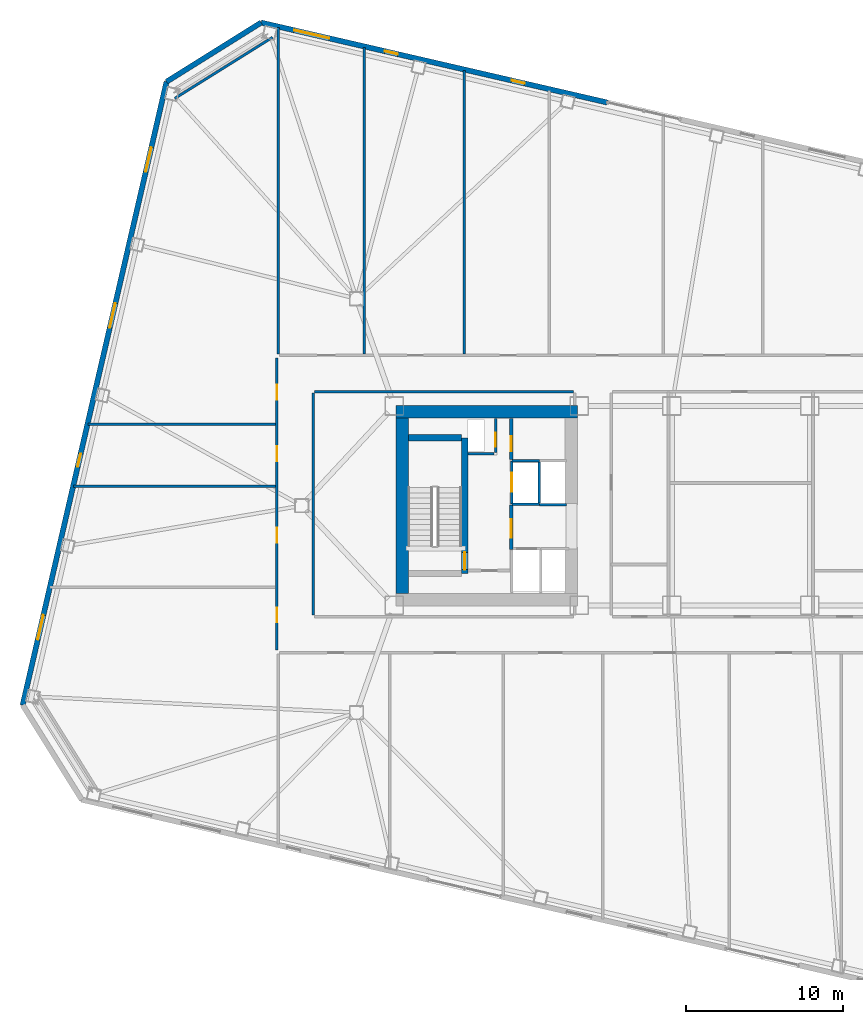
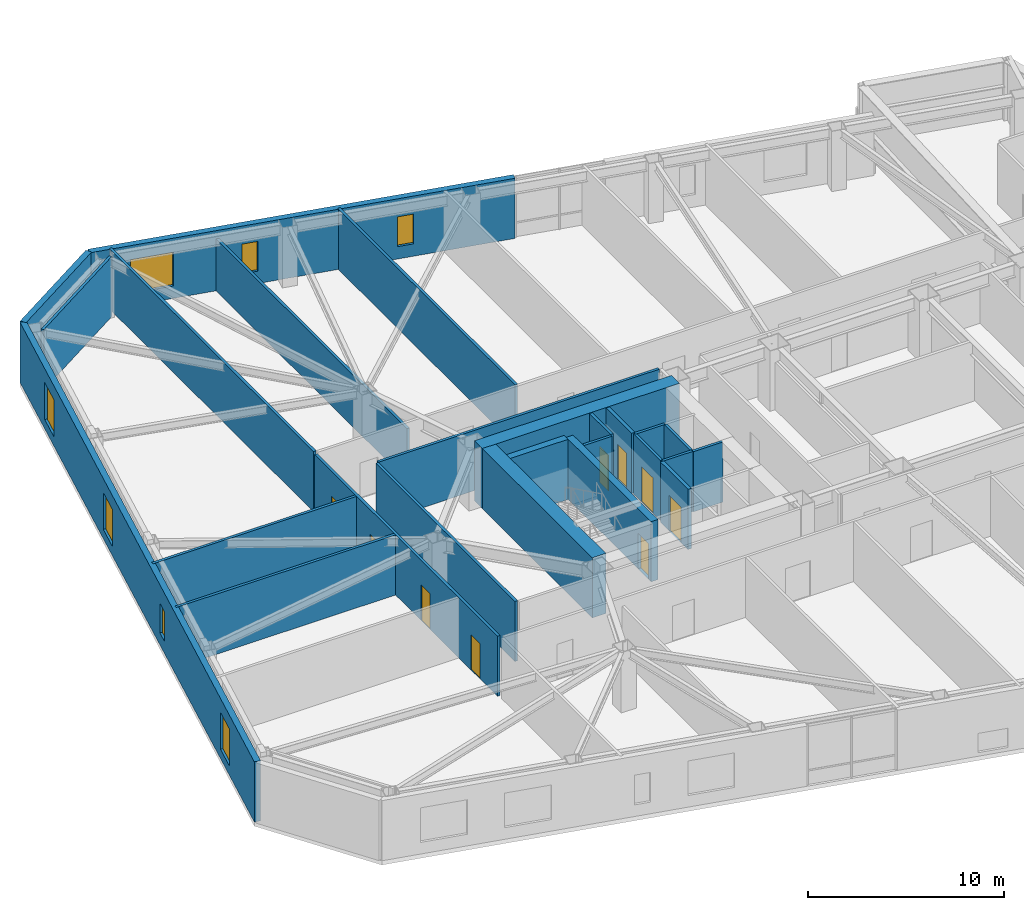
# One storey, part 12 of 20: 25 walls, 9 doors, 7 windows, 16 openings.
"""IFC4 building model written with IfcOpenShell, lengths in metres."""

from ifc_helpers import new_model, si_unit, direction, frame, frame_2d, origin, place, context, subcontext, project, spatial, rectangle, extrude, material, layer, layer_set, type_object, element, fill, save


model = new_model("IFC4")

# Units and contexts
model_context = context("Model", 3, precision=1e-05, world=origin(), true_north=direction((0.0, 1.0)))
body_context = subcontext(model_context, "Body", "Model", "MODEL_VIEW")
ifc_project = project(units=[si_unit("LENGTHUNIT", "METRE"), si_unit("AREAUNIT", "SQUARE_METRE"), si_unit("VOLUMEUNIT", "CUBIC_METRE"), si_unit("PLANEANGLEUNIT", "RADIAN"), si_unit("MASSUNIT", "GRAM", prefix="KILO")], contexts=[model_context])

# Site, building, storey
site_placement = place(None, origin())
site = spatial("IfcSite", under=ifc_project, at=site_placement, CompositionType="ELEMENT")
building_placement = place(site_placement, origin())
building = spatial("IfcBuilding", under=site, at=building_placement, Name="Tavrogorsk Clinical Tower", CompositionType="ELEMENT")
storey_placement = place(building_placement, frame((0.0, 0.0, 67.39990234375)))
storey = spatial("IfcBuildingStorey", under=building, at=storey_placement, Name="L14", CompositionType="ELEMENT", Elevation=67.39990234375)

# Wall, opening, door
ifc_material_1 = material(Name="Concrete B60", Category="concrete")
ifc_layer_1 = layer(ifc_material_1, 0.199951171875)
ifc_layer_set_1 = layer_set([ifc_layer_1], Name="Concrete B60")
wall_type_1 = type_object("IfcWallType", Name="CoreFireWall_200", PredefinedType="SOLIDWALL", material=ifc_layer_set_1)
wall_1_placement = place(storey_placement, frame((-14.639892578125, 2.9599609375, 0.0), z_axis=(0.0, 0.0, 1.0), x_axis=(0.0, 1.0, 0.0)))
wall_1 = element("IfcWall", 1, at=wall_1_placement, inside=storey, type_object=wall_type_1, Name="L14 Core West North Core Room East Wall", PredefinedType="SOLIDWALL", context=body_context, shape_type="SweptSolid", body=[
    extrude(rectangle(XDim=2.60009765625, YDim=0.199951171875, at=frame_2d((1.300048828125, 0.0))), origin(), (0.0, 0.0, 1.0), 3.739990234375),
])
opening_1_placement = place(wall_1_placement, frame((0.52001953125, 0.0, 0.0)))
opening_1 = element("IfcOpeningElement", 2, at=opening_1_placement, cuts=wall_1, Name="Opening ID-02", PredefinedType="OPENING", context=body_context, shape_type="SweptSolid", body=[
    extrude(rectangle(XDim=0.949951171875, YDim=2.199951171875, at=frame_2d((0.47509765625, 1.10009765625))), frame((0.0, 0.10986328125, 0.0), z_axis=(0.0, -1.0, 0.0), x_axis=(1.0, 0.0, 0.0)), (0.0, 0.0, 1.0), 0.219970703125),
])
ifc_material_2 = material(Name="Laminated timber leaf on aluminium frame", Category="wood")
door_type_1 = type_object("IfcDoorType", Name="InteriorDoor_ID02_950", OperationType="NOTDEFINED", PredefinedType="DOOR", material=ifc_material_2)
door_1_placement = place(opening_1_placement, origin())
door_1 = element("IfcDoor", 3, at=door_1_placement, inside=storey, type_object=door_type_1, Name="L14 Core West Core Telemetry Room Door", OperationType="SINGLE_SWING_LEFT", OverallHeight=2.199951171875, OverallWidth=0.949951171875, PredefinedType="DOOR", context=body_context, shape_type="SweptSolid", body=[
    extrude(rectangle(XDim=0.949951171875, YDim=2.199951171875, at=frame_2d((0.47509765625, 1.10009765625))), frame((0.0, 0.02490234375, 0.0), z_axis=(0.0, -1.0, 0.0), x_axis=(1.0, 0.0, 0.0)), (0.0, 0.0, 1.0), 0.050048828125),
])
fill(opening_1, door_1)

wall_2_placement = place(storey_placement, frame((-14.639892578125, -2.780029296875, 0.0), z_axis=(0.0, 0.0, 1.0), x_axis=(0.0, 1.0, 0.0)))
wall_2 = element("IfcWall", 4, at=wall_2_placement, inside=storey, type_object=wall_type_1, Name="L14 Core West Firefighting Lobby Fire Wall", PredefinedType="SOLIDWALL", context=body_context, shape_type="SweptSolid", body=[
    extrude(rectangle(XDim=2.820068359375, YDim=0.199951171875, at=frame_2d((1.41015625, 0.0))), origin(), (0.0, 0.0, 1.0), 3.739990234375),
])
opening_2_placement = place(wall_2_placement, frame((0.72998046875, 0.0, 0.0)))
opening_2 = element("IfcOpeningElement", 5, at=opening_2_placement, cuts=wall_2, Name="Opening FD-01", PredefinedType="OPENING", context=body_context, shape_type="SweptSolid", body=[
    extrude(rectangle(XDim=1.199951171875, YDim=2.199951171875, at=frame_2d((0.60009765625, 1.10009765625))), frame((0.0, 0.10986328125, 0.0), z_axis=(0.0, -1.0, 0.0), x_axis=(1.0, 0.0, 0.0)), (0.0, 0.0, 1.0), 0.219970703125),
])
ifc_material_3 = material(Name="Galvanised steel fire-rated door assembly", Category="steel")
door_type_2 = type_object("IfcDoorType", Name="FireDoor_FD01_1200", OperationType="NOTDEFINED", PredefinedType="DOOR", material=ifc_material_3)
door_2_placement = place(opening_2_placement, origin())
door_2 = element("IfcDoor", 6, at=door_2_placement, inside=storey, type_object=door_type_2, Name="L14 Core West Firefighting Lobby Entry Door", OperationType="SINGLE_SWING_RIGHT", OverallHeight=2.199951171875, OverallWidth=1.199951171875, PredefinedType="DOOR", context=body_context, shape_type="SweptSolid", body=[
    extrude(rectangle(XDim=1.199951171875, YDim=2.199951171875, at=frame_2d((0.60009765625, 1.10009765625))), frame((0.0, 0.02490234375, 0.0), z_axis=(0.0, -1.0, 0.0), x_axis=(1.0, 0.0, 0.0)), (0.0, 0.0, 1.0), 0.050048828125),
])
fill(opening_2, door_2)

# Wall
ifc_material_4 = material(Name="Lightweight concrete blockwork B15", Category="masonry")
ifc_layer_2 = layer(ifc_material_4, 0.159912109375)
ifc_layer_set_2 = layer_set([ifc_layer_2], Name="Lightweight concrete blockwork B15")
wall_type_2 = type_object("IfcWallType", Name="PartitionWall_160", PredefinedType="PARTITIONING", material=ifc_layer_set_2)
wall_3_placement = place(storey_placement, frame((-29.859619140625, 29.8681640625, 0.0), z_axis=(0.0, 0.0, 1.0), x_axis=(-0.848043064089, -0.529927317139, 0.0)))
element("IfcWall", 7, at=wall_3_placement, inside=storey, type_object=wall_type_2, Name="L14 Corner Exoskeleton Brace Furring Wall 3", PredefinedType="PARTITIONING", context=body_context, shape_type="SweptSolid", body=[
    extrude(rectangle(XDim=7.353759765625, YDim=0.159912109375, at=frame_2d((3.6767578125, 0.0))), origin(), (0.0, 0.0, 1.0), 3.739990234375),
])

# Wall, openings, doors
wall_4_placement = place(storey_placement, frame((-29.580078125, -9.215087890625, 0.0), z_axis=(0.0, 0.0, 1.0), x_axis=(0.0, 1.0, 0.0)))
wall_4 = element("IfcWall", 8, at=wall_4_placement, inside=storey, type_object=wall_type_2, Name="L14 Corridor Partition 01", PredefinedType="PARTITIONING", context=body_context, shape_type="SweptSolid", body=[
    extrude(rectangle(XDim=18.630126953125, YDim=0.159912109375, at=frame_2d((9.31494140625, 0.0))), origin(), (0.0, 0.0, 1.0), 3.739990234375),
])
opening_3_placement = place(wall_4_placement, frame((1.76904296875, 0.0, 0.0)))
opening_3 = element("IfcOpeningElement", 9, at=opening_3_placement, cuts=wall_4, Name="Opening ID-02", PredefinedType="OPENING", context=body_context, shape_type="SweptSolid", body=[
    extrude(rectangle(XDim=0.949951171875, YDim=2.199951171875, at=frame_2d((0.47509765625, 1.10009765625))), frame((0.0, 0.08984375, 0.0), z_axis=(0.0, -1.0, 0.0), x_axis=(1.0, 0.0, 0.0)), (0.0, 0.0, 1.0), 0.179931640625),
])
opening_4_placement = place(wall_4_placement, frame((6.85009765625, 0.0, 0.0)))
opening_4 = element("IfcOpeningElement", 10, at=opening_4_placement, cuts=wall_4, Name="Opening ID-02", PredefinedType="OPENING", context=body_context, shape_type="SweptSolid", body=[
    extrude(rectangle(XDim=0.949951171875, YDim=2.199951171875, at=frame_2d((0.47509765625, 1.10009765625))), frame((0.0, 0.08984375, 0.0), z_axis=(0.0, -1.0, 0.0), x_axis=(1.0, 0.0, 0.0)), (0.0, 0.0, 1.0), 0.179931640625),
])
opening_5_placement = place(wall_4_placement, frame((12.050048828125, 0.0, 0.0)))
opening_5 = element("IfcOpeningElement", 11, at=opening_5_placement, cuts=wall_4, Name="Opening ID-02", PredefinedType="OPENING", context=body_context, shape_type="SweptSolid", body=[
    extrude(rectangle(XDim=0.949951171875, YDim=2.199951171875, at=frame_2d((0.47509765625, 1.10009765625))), frame((0.0, 0.08984375, 0.0), z_axis=(0.0, -1.0, 0.0), x_axis=(1.0, 0.0, 0.0)), (0.0, 0.0, 1.0), 0.179931640625),
])
opening_6_placement = place(wall_4_placement, frame((15.98095703125, 0.0, 0.0)))
opening_6 = element("IfcOpeningElement", 12, at=opening_6_placement, cuts=wall_4, Name="Opening ID-02", PredefinedType="OPENING", context=body_context, shape_type="SweptSolid", body=[
    extrude(rectangle(XDim=0.949951171875, YDim=2.199951171875, at=frame_2d((0.47509765625, 1.10009765625))), frame((0.0, 0.08984375, 0.0), z_axis=(0.0, -1.0, 0.0), x_axis=(1.0, 0.0, 0.0)), (0.0, 0.0, 1.0), 0.179931640625),
])
door_3_placement = place(opening_3_placement, origin())
door_3 = element("IfcDoor", 13, at=door_3_placement, inside=storey, type_object=door_type_1, Name="L14 W Solarium Day Room & Lounge 1 Door", OperationType="SINGLE_SWING_LEFT", OverallHeight=2.199951171875, OverallWidth=0.949951171875, PredefinedType="DOOR", context=body_context, shape_type="SweptSolid", body=[
    extrude(rectangle(XDim=0.949951171875, YDim=2.199951171875, at=frame_2d((0.47509765625, 1.10009765625))), frame((0.0, 0.02490234375, 0.0), z_axis=(0.0, -1.0, 0.0), x_axis=(1.0, 0.0, 0.0)), (0.0, 0.0, 1.0), 0.050048828125),
])
fill(opening_3, door_3)
door_4_placement = place(opening_4_placement, origin())
door_4 = element("IfcDoor", 14, at=door_4_placement, inside=storey, type_object=door_type_1, Name="L14 W Rehabilitation Therapy Suite 2 Door", OperationType="SINGLE_SWING_RIGHT", OverallHeight=2.199951171875, OverallWidth=0.949951171875, PredefinedType="DOOR", context=body_context, shape_type="SweptSolid", body=[
    extrude(rectangle(XDim=0.949951171875, YDim=2.199951171875, at=frame_2d((0.47509765625, 1.10009765625))), frame((0.0, 0.02490234375, 0.0), z_axis=(0.0, -1.0, 0.0), x_axis=(1.0, 0.0, 0.0)), (0.0, 0.0, 1.0), 0.050048828125),
])
fill(opening_4, door_4)
door_5_placement = place(opening_5_placement, origin())
door_5 = element("IfcDoor", 15, at=door_5_placement, inside=storey, type_object=door_type_1, Name="L14 W Sub-Acute Observation Suite 3 Door", OperationType="SINGLE_SWING_LEFT", OverallHeight=2.199951171875, OverallWidth=0.949951171875, PredefinedType="DOOR", context=body_context, shape_type="SweptSolid", body=[
    extrude(rectangle(XDim=0.949951171875, YDim=2.199951171875, at=frame_2d((0.47509765625, 1.10009765625))), frame((0.0, 0.02490234375, 0.0), z_axis=(0.0, -1.0, 0.0), x_axis=(1.0, 0.0, 0.0)), (0.0, 0.0, 1.0), 0.050048828125),
])
fill(opening_5, door_5)
door_6_placement = place(opening_6_placement, origin())
door_6 = element("IfcDoor", 16, at=door_6_placement, inside=storey, type_object=door_type_1, Name="L14 W Family Consultation Lounge 4 Door", OperationType="SINGLE_SWING_RIGHT", OverallHeight=2.199951171875, OverallWidth=0.949951171875, PredefinedType="DOOR", context=body_context, shape_type="SweptSolid", body=[
    extrude(rectangle(XDim=0.949951171875, YDim=2.199951171875, at=frame_2d((0.47509765625, 1.10009765625))), frame((0.0, 0.02490234375, 0.0), z_axis=(0.0, -1.0, 0.0), x_axis=(1.0, 0.0, 0.0)), (0.0, 0.0, 1.0), 0.050048828125),
])
fill(opening_6, door_6)

# Walls
wall_5_placement = place(storey_placement, frame((-10.6650390625, 7.27001953125, 0.0), z_axis=(0.0, 0.0, 1.0), x_axis=(-1.0, 0.0, 0.0)))
element("IfcWall", 17, at=wall_5_placement, inside=storey, type_object=wall_type_2, Name="L14 Corridor Partition 20", PredefinedType="PARTITIONING", context=body_context, shape_type="SweptSolid", body=[
    extrude(rectangle(XDim=16.52001953125, YDim=0.159912109375, at=frame_2d((8.260009765625, 0.0))), origin(), (0.0, 0.0, 1.0), 3.739990234375),
])
wall_6_placement = place(storey_placement, frame((-27.27001953125, 7.18505859375, 0.0), z_axis=(0.0, 0.0, 1.0), x_axis=(0.0, -1.0, 0.0)))
element("IfcWall", 18, at=wall_6_placement, inside=storey, type_object=wall_type_2, Name="L14 Corridor Partition 21", PredefinedType="PARTITIONING", context=body_context, shape_type="SweptSolid", body=[
    extrude(rectangle(XDim=14.170166015625, YDim=0.159912109375, at=frame_2d((7.0849609375, 0.0))), origin(), (0.0, 0.0, 1.0), 3.739990234375),
])
wall_7_placement = place(storey_placement, frame((-29.5, 9.6650390625, 0.0), z_axis=(0.0, 0.0, 1.0), x_axis=(0.0, 1.0, 0.0)))
element("IfcWall", 19, at=wall_7_placement, inside=storey, type_object=wall_type_2, Name="L14 NW Wing Closure Partition", PredefinedType="PARTITIONING", context=body_context, shape_type="SweptSolid", body=[
    extrude(rectangle(XDim=20.818603515625, YDim=0.159912109375, at=frame_2d((10.4091796875, 0.0))), origin(), (0.0, 0.0, 1.0), 3.739990234375),
])
wall_8_placement = place(storey_placement, frame((-24.0, 9.6650390625, 0.0), z_axis=(0.0, 0.0, 1.0), x_axis=(0.0, 1.0, 0.0)))
element("IfcWall", 20, at=wall_8_placement, inside=storey, type_object=wall_type_2, Name="L14 North Room Partition 1", PredefinedType="PARTITIONING", context=body_context, shape_type="SweptSolid", body=[
    extrude(rectangle(XDim=19.548828125, YDim=0.159912109375, at=frame_2d((9.7744140625, 0.0))), origin(), (0.0, 0.0, 1.0), 3.235107421875),
])
wall_9_placement = place(storey_placement, frame((-17.64990234375, 9.6650390625, 0.0), z_axis=(0.0, 0.0, 1.0), x_axis=(0.0, 1.0, 0.0)))
element("IfcWall", 21, at=wall_9_placement, inside=storey, type_object=wall_type_2, Name="L14 North Sub-Partition 2", PredefinedType="PARTITIONING", context=body_context, shape_type="SweptSolid", body=[
    extrude(rectangle(XDim=18.082763671875, YDim=0.159912109375, at=frame_2d((9.04150390625, 0.0))), origin(), (0.0, 0.0, 1.0), 3.739990234375),
])
wall_10_placement = place(storey_placement, frame((-42.552978515625, 1.25, 0.0), z_axis=(0.0, 0.0, 1.0), x_axis=(1.0, 0.0, 0.0)))
element("IfcWall", 22, at=wall_10_placement, inside=storey, type_object=wall_type_2, Name="L14 W Wing Divider 2", PredefinedType="PARTITIONING", context=body_context, shape_type="SweptSolid", body=[
    extrude(rectangle(XDim=12.887939453125, YDim=0.159912109375, at=frame_2d((6.44384765625, 0.0))), origin(), (0.0, 0.0, 1.0), 3.739990234375),
])
wall_11_placement = place(storey_placement, frame((-41.64111328125, 5.199951171875, 0.0), z_axis=(0.0, 0.0, 1.0), x_axis=(1.0, 0.0, 0.0)))
element("IfcWall", 23, at=wall_11_placement, inside=storey, type_object=wall_type_2, Name="L14 W Wing Divider 3", PredefinedType="PARTITIONING", context=body_context, shape_type="SweptSolid", body=[
    extrude(rectangle(XDim=11.97607421875, YDim=0.159912109375, at=frame_2d((5.988037109375, 0.0))), origin(), (0.0, 0.0, 1.0), 3.739990234375),
])

# Wall, openings, windows
ifc_material_5 = material(Name="Precast concrete B45 with limestone cladding", Category="masonry")
ifc_layer_3 = layer(ifc_material_5, 0.340087890625)
ifc_layer_set_3 = layer_set([ifc_layer_3], Name="Precast concrete B45 with limestone cladding")
wall_type_3 = type_object("IfcWallType", Name="PrecastLimestoneWall_340", PredefinedType="STANDARD", material=ifc_layer_set_3)
wall_12_placement = place(storey_placement, frame((-8.5166015625, 25.711181640625, 0.0), z_axis=(0.0, 0.0, 1.0), x_axis=(-0.974372845456, 0.224939009598, 0.0)))
wall_12 = element("IfcWall", 24, at=wall_12_placement, inside=storey, type_object=wall_type_3, Name="L14 N Limestone Facade Wall 3", PredefinedType="STANDARD", context=body_context, shape_type="SweptSolid", body=[
    extrude(rectangle(XDim=22.651611328125, YDim=0.340087890625, at=frame_2d((11.32568359375, 0.0))), origin(), (0.0, 0.0, 1.0), 3.739990234375),
])
opening_7_placement = place(wall_12_placement, frame((18.189208984375, 0.0, 0.77001953125)))
opening_7 = element("IfcOpeningElement", 25, at=opening_7_placement, cuts=wall_12, Name="Opening WN-12", PredefinedType="OPENING", context=body_context, shape_type="SweptSolid", body=[
    extrude(rectangle(XDim=2.300048828125, YDim=2.10009765625, at=frame_2d((1.14990234375, 1.050048828125))), frame((0.0, 0.179931640625, 0.0), z_axis=(0.0, -1.0, 0.0), x_axis=(1.0, 0.0, 0.0)), (0.0, 0.0, 1.0), 0.360107421875),
])
opening_8_placement = place(wall_12_placement, frame((13.704833984375, 0.0, 0.77001953125)))
opening_8 = element("IfcOpeningElement", 26, at=opening_8_placement, cuts=wall_12, Name="Opening WN-06", PredefinedType="OPENING", context=body_context, shape_type="SweptSolid", body=[
    extrude(rectangle(XDim=0.85009765625, YDim=1.85009765625, at=frame_2d((0.425048828125, 0.925048828125))), frame((0.0, 0.179931640625, 0.0), z_axis=(0.0, -1.0, 0.0), x_axis=(1.0, 0.0, 0.0)), (0.0, 0.0, 1.0), 0.360107421875),
])
opening_9_placement = place(wall_12_placement, frame((5.406494140625, 0.0, 0.77001953125)))
opening_9 = element("IfcOpeningElement", 27, at=opening_9_placement, cuts=wall_12, Name="Opening WN-06", PredefinedType="OPENING", context=body_context, shape_type="SweptSolid", body=[
    extrude(rectangle(XDim=0.85009765625, YDim=1.85009765625, at=frame_2d((0.425048828125, 0.925048828125))), frame((0.0, 0.179931640625, 0.0), z_axis=(0.0, -1.0, 0.0), x_axis=(1.0, 0.0, 0.0)), (0.0, 0.0, 1.0), 0.360107421875),
])
ifc_material_6 = material(Name="Thermally broken aluminium frame and triple IGU", Category="aluminium")
window_type_1 = type_object("IfcWindowType", Name="MullionSubWin_850x1850", PartitioningType="SINGLE_PANEL", PredefinedType="WINDOW", material=ifc_material_6)
window_1_placement = place(opening_8_placement, origin())
window_1 = element("IfcWindow", 28, at=window_1_placement, inside=storey, type_object=window_type_1, Name="L14 N Mullion Split Window 02A", OverallHeight=1.85009765625, OverallWidth=0.85009765625, PartitioningType="SINGLE_PANEL", PredefinedType="WINDOW", context=body_context, shape_type="SweptSolid", body=[
    extrude(rectangle(XDim=0.85009765625, YDim=1.85009765625, at=frame_2d((0.425048828125, 0.925048828125))), frame((0.0, 0.030029296875, 0.0), z_axis=(0.0, -1.0, 0.0), x_axis=(1.0, 0.0, 0.0)), (0.0, 0.0, 1.0), 0.06005859375),
])
fill(opening_8, window_1)
window_2_placement = place(opening_9_placement, origin())
window_2 = element("IfcWindow", 29, at=window_2_placement, inside=storey, type_object=window_type_1, Name="L14 N Mullion Split Window 04B", OverallHeight=1.85009765625, OverallWidth=0.85009765625, PartitioningType="SINGLE_PANEL", PredefinedType="WINDOW", context=body_context, shape_type="SweptSolid", body=[
    extrude(rectangle(XDim=0.85009765625, YDim=1.85009765625, at=frame_2d((0.425048828125, 0.925048828125))), frame((0.0, 0.030029296875, 0.0), z_axis=(0.0, -1.0, 0.0), x_axis=(1.0, 0.0, 0.0)), (0.0, 0.0, 1.0), 0.06005859375),
])
fill(opening_9, window_2)
ifc_material_7 = material(Name="Thermally broken aluminium frame and triple IGU", Category="aluminium")
window_type_2 = type_object("IfcWindowType", Name="RecoveryWin_2300x2100", PartitioningType="DOUBLE_PANEL_VERTICAL", PredefinedType="WINDOW", material=ifc_material_7)
window_3_placement = place(opening_7_placement, origin())
window_3 = element("IfcWindow", 30, at=window_3_placement, inside=storey, type_object=window_type_2, Name="L14 N Chicago Window 01", OverallHeight=2.10009765625, OverallWidth=2.300048828125, PartitioningType="SINGLE_PANEL", PredefinedType="WINDOW", context=body_context, shape_type="SweptSolid", body=[
    extrude(rectangle(XDim=2.300048828125, YDim=2.10009765625, at=frame_2d((1.14990234375, 1.050048828125))), frame((0.0, 0.030029296875, 0.0), z_axis=(0.0, -1.0, 0.0), x_axis=(1.0, 0.0, 0.0)), (0.0, 0.0, 1.0), 0.06005859375),
])
fill(opening_7, window_3)

wall_13_placement = place(storey_placement, frame((-36.6201171875, 27.036865234375, 0.0), z_axis=(0.0, 0.0, 1.0), x_axis=(-0.224951280646, -0.974370012539, 0.0)))
wall_13 = element("IfcWall", 31, at=wall_13_placement, inside=storey, type_object=wall_type_3, Name="L14 W Pleated Limestone Wing Wall", PredefinedType="STANDARD", context=body_context, shape_type="SweptSolid", body=[
    extrude(rectangle(XDim=40.7998046875, YDim=0.340087890625, at=frame_2d((20.39990234375, 0.0))), origin(), (0.0, 0.0, 1.0), 3.739990234375),
])
opening_10_placement = place(wall_13_placement, frame((4.300048828125, 0.0, 0.580078125)))
opening_10 = element("IfcOpeningElement", 32, at=opening_10_placement, cuts=wall_13, Name="Opening WN-07", PredefinedType="OPENING", context=body_context, shape_type="SweptSolid", body=[
    extrude(rectangle(XDim=1.60009765625, YDim=2.300048828125, at=frame_2d((0.800048828125, 1.14990234375))), frame((0.0, 0.179931640625, 0.0), z_axis=(0.0, -1.0, 0.0), x_axis=(1.0, 0.0, 0.0)), (0.0, 0.0, 1.0), 0.360107421875),
])
opening_11_placement = place(wall_13_placement, frame((14.5, 0.0, 0.580078125)))
opening_11 = element("IfcOpeningElement", 33, at=opening_11_placement, cuts=wall_13, Name="Opening WN-07", PredefinedType="OPENING", context=body_context, shape_type="SweptSolid", body=[
    extrude(rectangle(XDim=1.60009765625, YDim=2.300048828125, at=frame_2d((0.800048828125, 1.14990234375))), frame((0.0, 0.179931640625, 0.0), z_axis=(0.0, -1.0, 0.0), x_axis=(1.0, 0.0, 0.0)), (0.0, 0.0, 1.0), 0.360107421875),
])
opening_12_placement = place(wall_13_placement, frame((24.35009765625, 0.0, 0.75)))
opening_12 = element("IfcOpeningElement", 34, at=opening_12_placement, cuts=wall_13, Name="Opening WN-06", PredefinedType="OPENING", context=body_context, shape_type="SweptSolid", body=[
    extrude(rectangle(XDim=0.85009765625, YDim=1.85009765625, at=frame_2d((0.425048828125, 0.925048828125))), frame((0.0, 0.179931640625, 0.0), z_axis=(0.0, -1.0, 0.0), x_axis=(1.0, 0.0, 0.0)), (0.0, 0.0, 1.0), 0.360107421875),
])
opening_13_placement = place(wall_13_placement, frame((34.89990234375, 0.0, 0.580078125)))
opening_13 = element("IfcOpeningElement", 35, at=opening_13_placement, cuts=wall_13, Name="Opening WN-07", PredefinedType="OPENING", context=body_context, shape_type="SweptSolid", body=[
    extrude(rectangle(XDim=1.60009765625, YDim=2.300048828125, at=frame_2d((0.800048828125, 1.14990234375))), frame((0.0, 0.179931640625, 0.0), z_axis=(0.0, -1.0, 0.0), x_axis=(1.0, 0.0, 0.0)), (0.0, 0.0, 1.0), 0.360107421875),
])
window_4_placement = place(opening_12_placement, origin())
window_4 = element("IfcWindow", 36, at=window_4_placement, inside=storey, type_object=window_type_1, Name="L14 W Pleat Mullion Window 3A", OverallHeight=1.85009765625, OverallWidth=0.85009765625, PartitioningType="SINGLE_PANEL", PredefinedType="WINDOW", context=body_context, shape_type="SweptSolid", body=[
    extrude(rectangle(XDim=0.85009765625, YDim=1.85009765625, at=frame_2d((0.425048828125, 0.925048828125))), frame((0.0, 0.030029296875, 0.0), z_axis=(0.0, -1.0, 0.0), x_axis=(1.0, 0.0, 0.0)), (0.0, 0.0, 1.0), 0.06005859375),
])
fill(opening_12, window_4)
ifc_material_8 = material(Name="Thermally broken aluminium frame and triple IGU", Category="aluminium")
window_type_3 = type_object("IfcWindowType", Name="PleatSlotWin_1600x2300", PartitioningType="SINGLE_PANEL", PredefinedType="WINDOW", material=ifc_material_8)
window_5_placement = place(opening_10_placement, origin())
window_5 = element("IfcWindow", 37, at=window_5_placement, inside=storey, type_object=window_type_3, Name="L14 W Pleat Slot Window 1", OverallHeight=2.300048828125, OverallWidth=1.60009765625, PartitioningType="SINGLE_PANEL", PredefinedType="WINDOW", context=body_context, shape_type="SweptSolid", body=[
    extrude(rectangle(XDim=1.60009765625, YDim=2.300048828125, at=frame_2d((0.800048828125, 1.14990234375))), frame((0.0, 0.030029296875, 0.0), z_axis=(0.0, -1.0, 0.0), x_axis=(1.0, 0.0, 0.0)), (0.0, 0.0, 1.0), 0.06005859375),
])
fill(opening_10, window_5)
window_6_placement = place(opening_11_placement, origin())
window_6 = element("IfcWindow", 38, at=window_6_placement, inside=storey, type_object=window_type_3, Name="L14 W Pleat Slot Window 2", OverallHeight=2.300048828125, OverallWidth=1.60009765625, PartitioningType="SINGLE_PANEL", PredefinedType="WINDOW", context=body_context, shape_type="SweptSolid", body=[
    extrude(rectangle(XDim=1.60009765625, YDim=2.300048828125, at=frame_2d((0.800048828125, 1.14990234375))), frame((0.0, 0.030029296875, 0.0), z_axis=(0.0, -1.0, 0.0), x_axis=(1.0, 0.0, 0.0)), (0.0, 0.0, 1.0), 0.06005859375),
])
fill(opening_11, window_6)
window_7_placement = place(opening_13_placement, origin())
window_7 = element("IfcWindow", 39, at=window_7_placement, inside=storey, type_object=window_type_3, Name="L14 W Pleat Slot Window 4", OverallHeight=2.300048828125, OverallWidth=1.60009765625, PartitioningType="SINGLE_PANEL", PredefinedType="WINDOW", context=body_context, shape_type="SweptSolid", body=[
    extrude(rectangle(XDim=1.60009765625, YDim=2.300048828125, at=frame_2d((0.800048828125, 1.14990234375))), frame((0.0, 0.030029296875, 0.0), z_axis=(0.0, -1.0, 0.0), x_axis=(1.0, 0.0, 0.0)), (0.0, 0.0, 1.0), 0.06005859375),
])
fill(opening_13, window_7)

# Wall
wall_14_placement = place(storey_placement, frame((-30.587646484375, 30.806640625, 0.0), z_axis=(0.0, 0.0, 1.0), x_axis=(-0.848031080615, -0.529946493819, 0.0)))
element("IfcWall", 40, at=wall_14_placement, inside=storey, type_object=wall_type_3, Name="L14 Chamfered Corner Wall 3", PredefinedType="STANDARD", context=body_context, shape_type="SweptSolid", body=[
    extrude(rectangle(XDim=7.113525390625, YDim=0.340087890625, at=frame_2d((3.556640625, 0.0))), origin(), (0.0, 0.0, 1.0), 3.739990234375),
])

# Wall, opening, door
ifc_material_9 = material(Name="Lightweight concrete blockwork B25", Category="masonry")
ifc_layer_4 = layer(ifc_material_9, 0.159912109375)
ifc_layer_set_4 = layer_set([ifc_layer_4], Name="Lightweight concrete blockwork B25")
wall_type_4 = type_object("IfcWallType", Name="ShaftWall_160", PredefinedType="PARTITIONING", material=ifc_layer_set_4)
wall_15_placement = place(storey_placement, frame((-14.60009765625, 0.1201171875, 0.0), z_axis=(0.0, 0.0, 1.0), x_axis=(0.0, 1.0, 0.0)))
wall_15 = element("IfcWall", 41, at=wall_15_placement, inside=storey, type_object=wall_type_4, Name="L14 FFL-W Firefighting Lift Front Wall", PredefinedType="PARTITIONING", context=body_context, shape_type="SweptSolid", body=[
    extrude(rectangle(XDim=2.739990234375, YDim=0.159912109375, at=frame_2d((1.3701171875, 0.0))), origin(), (0.0, 0.0, 1.0), 3.739990234375),
])
opening_14_placement = place(wall_15_placement, frame((0.77001953125, 0.0, 0.0)))
opening_14 = element("IfcOpeningElement", 42, at=opening_14_placement, cuts=wall_15, Name="Opening LD", PredefinedType="OPENING", context=body_context, shape_type="SweptSolid", body=[
    extrude(rectangle(XDim=1.199951171875, YDim=2.199951171875, at=frame_2d((0.60009765625, 1.10009765625))), frame((0.0, 0.08984375, 0.0), z_axis=(0.0, -1.0, 0.0), x_axis=(1.0, 0.0, 0.0)), (0.0, 0.0, 1.0), 0.179931640625),
])
ifc_material_10 = material(Name="Brushed stainless steel AISI 304 sliding doors", Category="steel")
door_type_3 = type_object("IfcDoorType", Name="LiftLandingDoor_LD_1200", OperationType="SLIDING_TO_LEFT", PredefinedType="DOOR", material=ifc_material_10)
door_7_placement = place(opening_14_placement, origin())
door_7 = element("IfcDoor", 43, at=door_7_placement, inside=storey, type_object=door_type_3, Name="L14 FFL-W Sliding Lift Landing Door", OperationType="SLIDING_TO_LEFT", OverallHeight=2.199951171875, OverallWidth=1.199951171875, PredefinedType="DOOR", context=body_context, shape_type="SweptSolid", body=[
    extrude(rectangle(XDim=1.199951171875, YDim=2.199951171875, at=frame_2d((0.60009765625, 1.10009765625))), frame((0.0, 0.02490234375, 0.0), z_axis=(0.0, -1.0, 0.0), x_axis=(1.0, 0.0, 0.0)), (0.0, 0.0, 1.0), 0.050048828125),
])
fill(opening_14, door_7)

# Walls
for number, where, z_axis, x_axis, name in (
    (44, (-14.60009765625, 0.10009765625, 0.0), (0.0, 0.0, 1.0), (1.0, 0.0, 0.0), "L14 FFL-W Shaft South Wall"),
    (45, (-14.60009765625, 2.8798828125, 0.0), (0.0, 0.0, 1.0), (1.0, 0.0, 0.0), "L14 FFL-W Shaft North Wall"),
):
    element("IfcWall", number, at=place(storey_placement, frame(where, z_axis=z_axis, x_axis=x_axis)), inside=storey, type_object=wall_type_4, Name=name, PredefinedType="PARTITIONING", context=body_context, shape_type="SweptSolid", body=[
        extrude(rectangle(XDim=1.760009765625, YDim=0.159912109375, at=frame_2d((0.8798828125, 0.0))), origin(), (0.0, 0.0, 1.0), 3.739990234375),
    ])
wall_16_placement = place(storey_placement, frame((-12.840087890625, 0.179931640625, 0.0), z_axis=(0.0, 0.0, 1.0), x_axis=(0.0, 1.0, 0.0)))
element("IfcWall", 46, at=wall_16_placement, inside=storey, type_object=wall_type_4, Name="L14 FFL-W Shaft Back Wall", PredefinedType="PARTITIONING", context=body_context, shape_type="SweptSolid", body=[
    extrude(rectangle(XDim=2.6201171875, YDim=0.159912109375, at=frame_2d((1.31005859375, 0.0))), origin(), (0.0, 0.0, 1.0), 3.739990234375),
])
wall_17_placement = place(storey_placement, frame((-12.820068359375, 0.06005859375, 0.0), z_axis=(0.0, 0.0, 1.0), x_axis=(1.0, 0.0, 0.0)))
element("IfcWall", 47, at=wall_17_placement, inside=storey, type_object=wall_type_4, Name="L14 LP-H1 High-Zone Lift Portal Wall", PredefinedType="PARTITIONING", context=body_context, shape_type="SweptSolid", body=[
    extrude(rectangle(XDim=1.719970703125, YDim=0.159912109375, at=frame_2d((0.85986328125, 0.0))), origin(), (0.0, 0.0, 1.0), 3.739990234375),
])

# Wall, opening, door
wall_18_placement = place(storey_placement, frame((-15.639892578125, 3.405029296875, 0.0), z_axis=(0.0, 0.0, 1.0), x_axis=(0.0, 1.0, 0.0)))
wall_18 = element("IfcWall", 48, at=wall_18_placement, inside=storey, type_object=wall_type_4, Name="L14 Core West Riser West Wall", PredefinedType="PARTITIONING", context=body_context, shape_type="SweptSolid", body=[
    extrude(rectangle(XDim=2.155029296875, YDim=0.159912109375, at=frame_2d((1.07763671875, 0.0))), origin(), (0.0, 0.0, 1.0), 3.739990234375),
])
opening_15_placement = place(wall_18_placement, frame((0.35009765625, 0.0, 0.0)))
opening_15 = element("IfcOpeningElement", 49, at=opening_15_placement, cuts=wall_18, Name="Opening FD-02", PredefinedType="OPENING", context=body_context, shape_type="SweptSolid", body=[
    extrude(rectangle(XDim=0.89990234375, YDim=2.199951171875, at=frame_2d((0.449951171875, 1.10009765625))), frame((0.0, 0.08984375, 0.0), z_axis=(0.0, -1.0, 0.0), x_axis=(1.0, 0.0, 0.0)), (0.0, 0.0, 1.0), 0.179931640625),
])
ifc_material_11 = material(Name="Galvanised steel fire-rated door assembly", Category="steel")
door_type_4 = type_object("IfcDoorType", Name="FireDoor_FD02_900", OperationType="NOTDEFINED", PredefinedType="DOOR", material=ifc_material_11)
door_8_placement = place(opening_15_placement, origin())
door_8 = element("IfcDoor", 50, at=door_8_placement, inside=storey, type_object=door_type_4, Name="L14 Core West Electrical Riser Access Door", OperationType="SINGLE_SWING_LEFT", OverallHeight=2.199951171875, OverallWidth=0.89990234375, PredefinedType="DOOR", context=body_context, shape_type="SweptSolid", body=[
    extrude(rectangle(XDim=0.89990234375, YDim=2.199951171875, at=frame_2d((0.449951171875, 1.10009765625))), frame((0.0, 0.02490234375, 0.0), z_axis=(0.0, -1.0, 0.0), x_axis=(1.0, 0.0, 0.0)), (0.0, 0.0, 1.0), 0.050048828125),
])
fill(opening_15, door_8)

# Wall
wall_19_placement = place(storey_placement, frame((-17.3798828125, 3.320068359375, 0.0), z_axis=(0.0, 0.0, 1.0), x_axis=(1.0, 0.0, 0.0)))
element("IfcWall", 51, at=wall_19_placement, inside=storey, type_object=wall_type_4, Name="L14 Core West Riser South Wall", PredefinedType="PARTITIONING", context=body_context, shape_type="SweptSolid", body=[
    extrude(rectangle(XDim=1.65478515625, YDim=0.159912109375, at=frame_2d((0.827392578125, 0.0))), origin(), (0.0, 0.0, 1.0), 3.739990234375),
])

# Wall, opening, door
ifc_material_12 = material(Name="Concrete B80", Category="concrete")
ifc_layer_5 = layer(ifc_material_12, 0.39990234375)
ifc_layer_set_5 = layer_set([ifc_layer_5], Name="Concrete B80")
wall_type_5 = type_object("IfcWallType", Name="ShearWall_400", PredefinedType="SHEAR", material=ifc_layer_set_5)
wall_20_placement = place(storey_placement, frame((-17.60009765625, -4.324951171875, 0.0), z_axis=(0.0, 0.0, 1.0), x_axis=(0.0, 1.0, 0.0)))
wall_20 = element("IfcWall", 52, at=wall_20_placement, inside=storey, type_object=wall_type_5, Name="L14 Core West Stair Shaft Inner Shear Wall", PredefinedType="SHEAR", context=body_context, shape_type="SweptSolid", body=[
    extrude(rectangle(XDim=8.64990234375, YDim=0.39990234375, at=frame_2d((4.324951171875, 0.0))), origin(), (0.0, 0.0, 1.0), 3.739990234375),
])
opening_16_placement = place(wall_20_placement, frame((0.25, 0.0, 0.0)))
opening_16 = element("IfcOpeningElement", 53, at=opening_16_placement, cuts=wall_20, Name="Opening SD-01", PredefinedType="OPENING", context=body_context, shape_type="SweptSolid", body=[
    extrude(rectangle(XDim=1.10009765625, YDim=2.199951171875, at=frame_2d((0.550048828125, 1.10009765625))), frame((0.0, 0.2099609375, 0.0), z_axis=(0.0, -1.0, 0.0), x_axis=(1.0, 0.0, 0.0)), (0.0, 0.0, 1.0), 0.419921875),
])
ifc_material_13 = material(Name="Galvanised steel smoke-tight fire door assembly", Category="steel")
door_type_5 = type_object("IfcDoorType", Name="StairFireDoor_SD01_1100", OperationType="NOTDEFINED", PredefinedType="DOOR", material=ifc_material_13)
door_9_placement = place(opening_16_placement, origin())
door_9 = element("IfcDoor", 54, at=door_9_placement, inside=storey, type_object=door_type_5, Name="L14 ST-W Exit Stair Door", OperationType="SINGLE_SWING_LEFT", OverallHeight=2.199951171875, OverallWidth=1.10009765625, PredefinedType="DOOR", context=body_context, shape_type="SweptSolid", body=[
    extrude(rectangle(XDim=1.10009765625, YDim=2.199951171875, at=frame_2d((0.550048828125, 1.10009765625))), frame((0.0, 0.02490234375, 0.0), z_axis=(0.0, -1.0, 0.0), x_axis=(1.0, 0.0, 0.0)), (0.0, 0.0, 1.0), 0.050048828125),
])
fill(opening_16, door_9)

# Walls
wall_21_placement = place(storey_placement, frame((-21.199951171875, 4.324951171875, 0.0), z_axis=(0.0, 0.0, 1.0), x_axis=(1.0, 0.0, 0.0)))
element("IfcWall", 55, at=wall_21_placement, inside=storey, type_object=wall_type_5, Name="L14 Core West Stair Shaft North Shear Wall", PredefinedType="SHEAR", context=body_context, shape_type="SweptSolid", body=[
    extrude(rectangle(XDim=3.39990234375, YDim=0.39990234375, at=frame_2d((1.699951171875, 0.0))), origin(), (0.0, 0.0, 1.0), 3.739990234375),
])
ifc_material_14 = material(Name="Concrete B80", Category="concrete")
ifc_layer_6 = layer(ifc_material_14, 0.800048828125)
ifc_layer_set_6 = layer_set([ifc_layer_6], Name="Concrete B80")
wall_type_6 = type_object("IfcWallType", Name="ShearWall_800", PredefinedType="SHEAR", material=ifc_layer_set_6)
wall_22_placement = place(storey_placement, frame((-22.0, 6.0, 0.0), z_axis=(0.0, 0.0, 1.0), x_axis=(1.0, 0.0, 0.0)))
element("IfcWall", 56, at=wall_22_placement, inside=storey, type_object=wall_type_6, Name="L14 Core West North Shear Wall", PredefinedType="SHEAR", context=body_context, shape_type="SweptSolid", body=[
    extrude(rectangle(XDim=11.60009765625, YDim=0.800048828125, at=frame_2d((5.800048828125, 0.0))), origin(), (0.0, 0.0, 1.0), 3.739990234375),
])
wall_23_placement = place(storey_placement, frame((-21.60009765625, -5.60009765625, 0.0), z_axis=(0.0, 0.0, 1.0), x_axis=(0.0, 1.0, 0.0)))
element("IfcWall", 57, at=wall_23_placement, inside=storey, type_object=wall_type_6, Name="L14 Core West End Shear Wall", PredefinedType="SHEAR", context=body_context, shape_type="SweptSolid", body=[
    extrude(rectangle(XDim=11.2001953125, YDim=0.800048828125, at=frame_2d((5.60009765625, 0.0))), origin(), (0.0, 0.0, 1.0), 3.739990234375),
])

save(model, "model.ifc")
